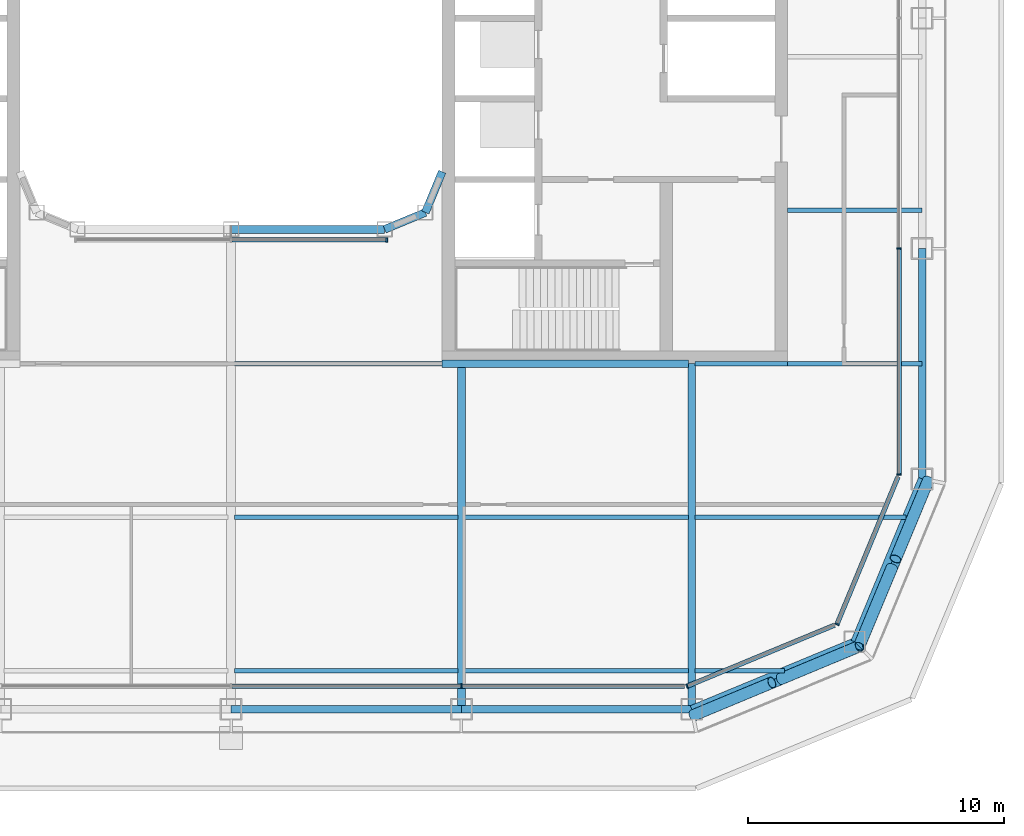
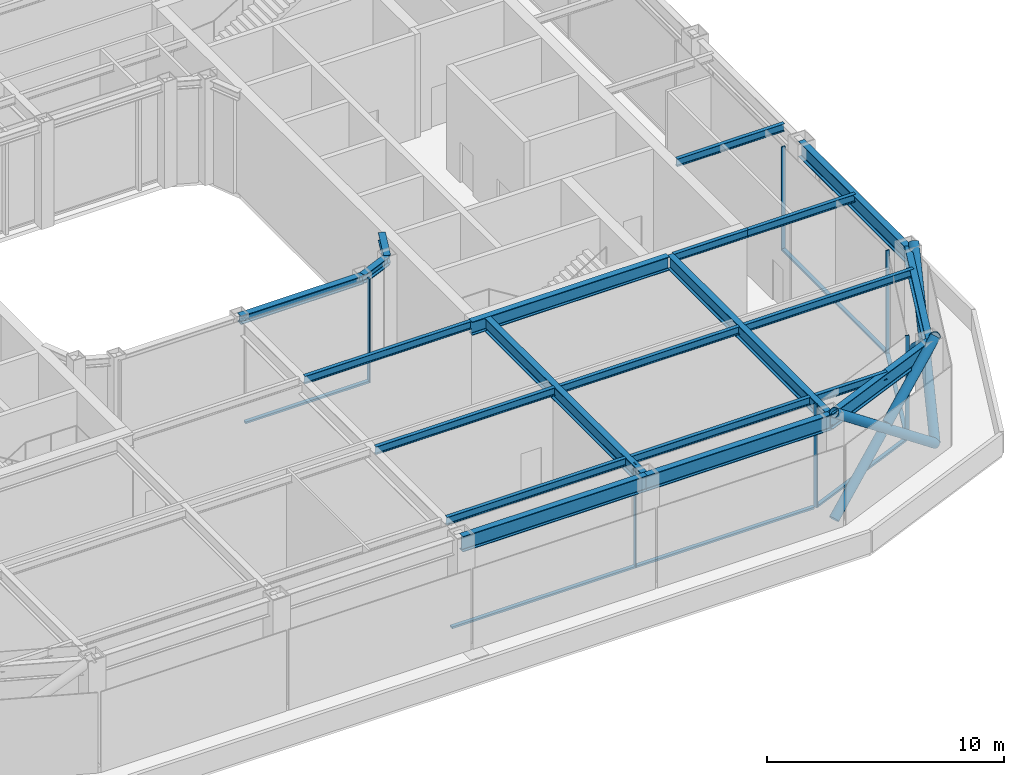
# One storey, part 4 of 19: 21 beams, 18 members, 5 elements without a shape of their own.
"""IFC4 building model written with IfcOpenShell, lengths in metres."""

from ifc_helpers import new_model, si_unit, direction, frame, origin, origin_2d, place, context, subcontext, project, spatial, rectangle, hollow_circle, i_section, extrude, material, layer, layer_set, material_profile, profile_set, type_object, element, aggregate, save


model = new_model("IFC4")

# Units and contexts
model_context = context("Model", 3, precision=1e-05, world=origin(), true_north=direction((0.0, 1.0)))
body_context = subcontext(model_context, "Body", "Model", "MODEL_VIEW")
ifc_project = project(units=[si_unit("LENGTHUNIT", "METRE"), si_unit("AREAUNIT", "SQUARE_METRE"), si_unit("VOLUMEUNIT", "CUBIC_METRE"), si_unit("PLANEANGLEUNIT", "RADIAN"), si_unit("MASSUNIT", "GRAM", prefix="KILO")], contexts=[model_context])

# Site, building, storey
site_placement = place(None, origin())
site = spatial("IfcSite", under=ifc_project, at=site_placement, CompositionType="ELEMENT")
building_placement = place(site_placement, origin())
building = spatial("IfcBuilding", under=site, at=building_placement, Name="Siwar Civic Tower", CompositionType="ELEMENT")
storey_placement = place(building_placement, frame((0.0, 0.0, 187.199951171875)))
storey = spatial("IfcBuildingStorey", under=building, at=storey_placement, Name="L40", CompositionType="ELEMENT", Elevation=187.199951171875)

# Curtain wall, member
ifc_material_1 = material(Name="Aluminium and glass", Category="aluminium")
ifc_layer_1 = layer(ifc_material_1, 0.179931640625)
ifc_layer_set_1 = layer_set([ifc_layer_1], Name="Aluminium and glass")
curtain_wall_type_1 = type_object("IfcCurtainWallType", Name="ENV-CW-C", PredefinedType="NOTDEFINED", material=ifc_layer_set_1)
curtain_wall_1_placement = place(storey_placement, origin())
curtain_wall_1 = element("IfcCurtainWall", 1, at=curtain_wall_1_placement, inside=storey, type_object=curtain_wall_type_1, Name="Curtain wall C S", PredefinedType="NOTDEFINED")
ifc_material_2 = material(Name="Aluminium 6063-T6", Category="aluminium")
ifc_material_profile_1 = material_profile(ifc_material_2, rectangle(XDim=0.179931640625, YDim=0.06005859375, at=origin_2d()), Name="AL 180x60")
ifc_profile_set_1 = profile_set([ifc_material_profile_1], Name="Aluminium 6063-T6")
member_type_1 = type_object("IfcMemberType", Name="ENV-MULLION-C", PredefinedType="MULLION", material=ifc_profile_set_1)
member_1_placement = place(storey_placement, frame((9.0, -26.10009765625, 0.0), z_axis=(0.0, 0.0, 1.0), x_axis=(0.0, 1.0, 0.0)))
member_1 = element("IfcMember", 2, at=member_1_placement, type_object=member_type_1, Name="Mullion C S 4", PredefinedType="MULLION", context=body_context, shape_type="SweptSolid", body=[
    extrude(rectangle(XDim=0.179931640625, YDim=0.06005859375, at=origin_2d()), origin(), (0.0, 0.0, 1.0), 5.35009765625),
])

ifc_material_3 = material(Name="Aluminium clad insulated panel", Category="aluminium")
ifc_layer_2 = layer(ifc_material_3, 0.179931640625)
ifc_layer_set_2 = layer_set([ifc_layer_2], Name="Aluminium clad insulated panel")
curtain_wall_type_2 = type_object("IfcCurtainWallType", Name="ENV-CW-CX", PredefinedType="NOTDEFINED", material=ifc_layer_set_2)
curtain_wall_2_placement = place(storey_placement, origin())
curtain_wall_2 = element("IfcCurtainWall", 3, at=curtain_wall_2_placement, inside=storey, type_object=curtain_wall_type_2, Name="Curtain wall C SE1", PredefinedType="NOTDEFINED")
member_2_placement = place(storey_placement, frame((17.821044921875, -26.10009765625, 0.0), z_axis=(0.0, 0.0, 1.0), x_axis=(-0.382683432365, 0.923879532511, 0.0)))
member_2 = element("IfcMember", 4, at=member_2_placement, type_object=member_type_1, Name="Mullion C SE1 1", PredefinedType="MULLION", context=body_context, shape_type="SweptSolid", body=[
    extrude(rectangle(XDim=0.179931640625, YDim=0.06005859375, at=origin_2d()), origin(), (0.0, 0.0, 1.0), 5.35009765625),
])

curtain_wall_3_placement = place(storey_placement, origin())
curtain_wall_3 = element("IfcCurtainWall", 5, at=curtain_wall_3_placement, inside=storey, type_object=curtain_wall_type_2, Name="Curtain wall C SE2", PredefinedType="NOTDEFINED")
member_3_placement = place(storey_placement, frame((23.675048828125, -23.675048828125, 0.0), z_axis=(0.0, 0.0, 1.0), x_axis=(-0.923879532511, 0.382683432365, 0.0)))
member_3 = element("IfcMember", 6, at=member_3_placement, type_object=member_type_1, Name="Mullion C SE2 1", PredefinedType="MULLION", context=body_context, shape_type="SweptSolid", body=[
    extrude(rectangle(XDim=0.179931640625, YDim=0.06005859375, at=origin_2d()), origin(), (0.0, 0.0, 1.0), 5.35009765625),
])

# Curtain wall, members
curtain_wall_4_placement = place(storey_placement, origin())
curtain_wall_4 = element("IfcCurtainWall", 7, at=curtain_wall_4_placement, inside=storey, type_object=curtain_wall_type_1, Name="Curtain wall C E", PredefinedType="NOTDEFINED")
member_4_placement = place(storey_placement, frame((26.10009765625, -17.821044921875, 0.0), z_axis=(0.0, 0.0, 1.0), x_axis=(-1.0, 0.0, 0.0)))
member_4 = element("IfcMember", 8, at=member_4_placement, type_object=member_type_1, Name="Mullion C E 1", PredefinedType="MULLION", context=body_context, shape_type="SweptSolid", body=[
    extrude(rectangle(XDim=0.179931640625, YDim=0.06005859375, at=origin_2d()), origin(), (0.0, 0.0, 1.0), 5.35009765625),
])
member_5_placement = place(storey_placement, frame((26.10009765625, -9.0, 0.0), z_axis=(0.0, 0.0, 1.0), x_axis=(-1.0, 0.0, 0.0)))
member_5 = element("IfcMember", 9, at=member_5_placement, type_object=member_type_1, Name="Mullion C E 2", PredefinedType="MULLION", context=body_context, shape_type="SweptSolid", body=[
    extrude(rectangle(XDim=0.179931640625, YDim=0.06005859375, at=origin_2d()), origin(), (0.0, 0.0, 1.0), 5.35009765625),
])

# Curtain wall, member
ifc_material_4 = material(Name="Aluminium and glass", Category="aluminium")
ifc_layer_3 = layer(ifc_material_4, 0.179931640625)
ifc_layer_set_3 = layer_set([ifc_layer_3], Name="Aluminium and glass")
curtain_wall_type_3 = type_object("IfcCurtainWallType", Name="ENV-CW-W", PredefinedType="NOTDEFINED", material=ifc_layer_set_3)
curtain_wall_5_placement = place(storey_placement, origin())
curtain_wall_5 = element("IfcCurtainWall", 10, at=curtain_wall_5_placement, inside=storey, type_object=curtain_wall_type_3, Name="Curtain wall W WS", PredefinedType="NOTDEFINED")
ifc_material_5 = material(Name="Aluminium 6063-T6", Category="aluminium")
ifc_material_profile_2 = material_profile(ifc_material_5, rectangle(XDim=0.179931640625, YDim=0.06005859375, at=origin_2d()), Name="AL 180x60")
ifc_profile_set_2 = profile_set([ifc_material_profile_2], Name="Aluminium 6063-T6")
member_type_2 = type_object("IfcMemberType", Name="ENV-MULLION-W", PredefinedType="MULLION", material=ifc_profile_set_2)
member_6_placement = place(storey_placement, frame((6.08154296875, -8.659912109375, 0.0), z_axis=(0.0, 0.0, 1.0), x_axis=(0.0, 1.0, 0.0)))
member_6 = element("IfcMember", 11, at=member_6_placement, type_object=member_type_2, Name="Mullion W WS 3", PredefinedType="MULLION", context=body_context, shape_type="SweptSolid", body=[
    extrude(rectangle(XDim=0.179931640625, YDim=0.06005859375, at=origin_2d()), origin(), (0.0, 0.0, 1.0), 5.35009765625),
])

# Member
ifc_material_6 = material(Name="Aluminium 6063-T6", Category="aluminium")
ifc_material_profile_3 = material_profile(ifc_material_6, rectangle(XDim=0.179931640625, YDim=0.10009765625, at=origin_2d()), Name="AL 180x100")
ifc_profile_set_3 = profile_set([ifc_material_profile_3], Name="Aluminium 6063-T6")
member_type_3 = type_object("IfcMemberType", Name="ENV-TRANSOM-C", PredefinedType="USERDEFINED", material=ifc_profile_set_3)
member_7_placement = place(storey_placement, frame((0.030029296875, -26.10009765625, 0.050048828125), z_axis=(1.0, 0.0, 0.0), x_axis=(0.0, 1.0, 0.0)))
member_7 = element("IfcMember", 12, at=member_7_placement, type_object=member_type_3, Name="Transom C S 3", ObjectType="TRANSOM", PredefinedType="USERDEFINED", context=body_context, shape_type="SweptSolid", body=[
    extrude(rectangle(XDim=0.179931640625, YDim=0.10009765625, at=origin_2d()), origin(), (0.0, 0.0, 1.0), 8.93994140625),
])

member_8_placement = place(storey_placement, frame((9.030029296875, -26.10009765625, 0.050048828125), z_axis=(1.0, 0.0, 0.0), x_axis=(0.0, 1.0, 0.0)))
member_8 = element("IfcMember", 13, at=member_8_placement, type_object=member_type_3, Name="Transom C S 4", ObjectType="TRANSOM", PredefinedType="USERDEFINED", context=body_context, shape_type="SweptSolid", body=[
    extrude(rectangle(XDim=0.179931640625, YDim=0.10009765625, at=origin_2d()), origin(), (0.0, 0.0, 1.0), 8.68603515625),
])

aggregate(curtain_wall_1, [member_1, member_7, member_8])

member_9_placement = place(storey_placement, frame((17.8486328125, -26.088623046875, 0.050048828125), z_axis=(0.923882011223, 0.38267744817, 0.0), x_axis=(-0.38267744817, 0.923882011223, 0.0)))
member_9 = element("IfcMember", 14, at=member_9_placement, type_object=member_type_3, Name="Transom C SE1 1", ObjectType="TRANSOM", PredefinedType="USERDEFINED", context=body_context, shape_type="SweptSolid", body=[
    extrude(rectangle(XDim=0.179931640625, YDim=0.10009765625, at=origin_2d()), origin(), (0.0, 0.0, 1.0), 6.201904296875),
])

aggregate(curtain_wall_2, [member_2, member_9])

member_10_placement = place(storey_placement, frame((23.6865234375, -23.6474609375, 0.050048828125), z_axis=(0.382691366456, 0.923876246063, 0.0), x_axis=(-0.923876246063, 0.382691366456, 0.0)))
member_10 = element("IfcMember", 15, at=member_10_placement, type_object=member_type_3, Name="Transom C SE2 1", ObjectType="TRANSOM", PredefinedType="USERDEFINED", context=body_context, shape_type="SweptSolid", body=[
    extrude(rectangle(XDim=0.179931640625, YDim=0.10009765625, at=origin_2d()), origin(), (0.0, 0.0, 1.0), 6.20166015625),
])

aggregate(curtain_wall_3, [member_3, member_10])

member_11_placement = place(storey_placement, frame((26.10009765625, -17.791015625, 0.050048828125), z_axis=(0.0, 1.0, 0.0), x_axis=(-1.0, 0.0, 0.0)))
member_11 = element("IfcMember", 16, at=member_11_placement, type_object=member_type_3, Name="Transom C E 1", ObjectType="TRANSOM", PredefinedType="USERDEFINED", context=body_context, shape_type="SweptSolid", body=[
    extrude(rectangle(XDim=0.179931640625, YDim=0.10009765625, at=origin_2d()), origin(), (0.0, 0.0, 1.0), 8.760986328125),
])

aggregate(curtain_wall_4, [member_4, member_5, member_11])

ifc_material_7 = material(Name="Aluminium 6063-T6", Category="aluminium")
ifc_material_profile_4 = material_profile(ifc_material_7, rectangle(XDim=0.179931640625, YDim=0.10009765625, at=origin_2d()), Name="AL 180x100")
ifc_profile_set_4 = profile_set([ifc_material_profile_4], Name="Aluminium 6063-T6")
member_type_4 = type_object("IfcMemberType", Name="ENV-TRANSOM-W", PredefinedType="USERDEFINED", material=ifc_profile_set_4)
member_12_placement = place(storey_placement, frame((0.030029296875, -8.659912109375, 0.050048828125), z_axis=(1.0, 0.0, 0.0), x_axis=(0.0, 1.0, 0.0)))
member_12 = element("IfcMember", 17, at=member_12_placement, type_object=member_type_4, Name="Transom W WS 2", ObjectType="TRANSOM", PredefinedType="USERDEFINED", context=body_context, shape_type="SweptSolid", body=[
    extrude(rectangle(XDim=0.179931640625, YDim=0.10009765625, at=origin_2d()), origin(), (0.0, 0.0, 1.0), 6.021484375),
])

aggregate(curtain_wall_5, [member_6, member_12])

# Members
ifc_material_8 = material(Name="Steel S355", Category="steel")
ifc_material_profile_5 = material_profile(ifc_material_8, hollow_circle(Radius=0.228515625, WallThickness=0.02001953125, at=origin_2d()), Name="CHS457x20")
ifc_profile_set_5 = profile_set([ifc_material_profile_5], Name="Steel S355")
member_type_5 = type_object("IfcMemberType", Name="STR-BR-CHS457x20", PredefinedType="BRACE", material=ifc_profile_set_5)
member_13_placement = place(storey_placement, frame((24.540771484375, -24.540771484375, 0.0), z_axis=(0.302906807269, 0.727145879939, 0.616040855299), x_axis=(-0.923108759191, 0.384538969033, 0.0)))
element("IfcMember", 18, at=member_13_placement, inside=storey, type_object=member_type_5, Name="L40/brc/CSE1-0-0-1", PredefinedType="BRACE", context=body_context, shape_type="SweptSolid", body=[
    extrude(hollow_circle(Radius=0.228515625, WallThickness=0.02001953125, at=origin_2d()), origin(), (0.0, 0.0, 1.0), 8.927978515625),
])
member_14_placement = place(storey_placement, frame((27.2451171875, -18.048828125, 0.0), z_axis=(-0.302872791803, -0.727136906292, 0.616068171141), x_axis=(0.923122402988, -0.384506214648, 0.0)))
element("IfcMember", 19, at=member_14_placement, inside=storey, type_object=member_type_5, Name="L40/brc/CSE1-0-0-2", PredefinedType="BRACE", context=body_context, shape_type="SweptSolid", body=[
    extrude(hollow_circle(Radius=0.228515625, WallThickness=0.02001953125, at=origin_2d()), origin(), (0.0, 0.0, 1.0), 4.233642578125),
])
member_15_placement = place(storey_placement, frame((25.8232421875, -21.46240234375, 2.89208984375), z_axis=(-0.302935930372, -0.727150037324, 0.616021627306), x_axis=(0.923096415499, -0.384568599462, 0.0)))
element("IfcMember", 20, at=member_15_placement, inside=storey, type_object=member_type_5, Name="L40/brc/CSE1-0-0-3", PredefinedType="BRACE", context=body_context, shape_type="SweptSolid", body=[
    extrude(hollow_circle(Radius=0.228515625, WallThickness=0.02001953125, at=origin_2d()), origin(), (0.0, 0.0, 1.0), 4.2333984375),
])
member_16_placement = place(storey_placement, frame((24.540771484375, -24.540771484375, 0.0), z_axis=(-0.727145879939, -0.302906807269, 0.616040855299), x_axis=(0.384538969033, -0.923108759191, 0.0)))
element("IfcMember", 21, at=member_16_placement, inside=storey, type_object=member_type_5, Name="L40/brc/CSE1-0-0-0", PredefinedType="BRACE", context=body_context, shape_type="SweptSolid", body=[
    extrude(hollow_circle(Radius=0.228515625, WallThickness=0.02001953125, at=origin_2d()), origin(), (0.0, 0.0, 1.0), 8.927978515625),
])
member_17_placement = place(storey_placement, frame((18.048828125, -27.2451171875, 0.0), z_axis=(0.727136906292, 0.302872791803, 0.616068171141), x_axis=(-0.384506214648, 0.923122402988, 0.0)))
element("IfcMember", 22, at=member_17_placement, inside=storey, type_object=member_type_5, Name="L40/brc/CSE1-0-0-4", PredefinedType="BRACE", context=body_context, shape_type="SweptSolid", body=[
    extrude(hollow_circle(Radius=0.228515625, WallThickness=0.02001953125, at=origin_2d()), origin(), (0.0, 0.0, 1.0), 4.233642578125),
])
member_18_placement = place(storey_placement, frame((21.46240234375, -25.8232421875, 2.89208984375), z_axis=(0.727150037324, 0.302935930372, 0.616021627306), x_axis=(-0.384568599462, 0.923096415499, 0.0)))
element("IfcMember", 23, at=member_18_placement, inside=storey, type_object=member_type_5, Name="L40/brc/CSE1-0-0-5", PredefinedType="BRACE", context=body_context, shape_type="SweptSolid", body=[
    extrude(hollow_circle(Radius=0.228515625, WallThickness=0.02001953125, at=origin_2d()), origin(), (0.0, 0.0, 1.0), 4.2333984375),
])

# Beams
ifc_material_9 = material(Name="Steel S355", Category="steel")
ifc_material_profile_6 = material_profile(ifc_material_9, i_section(OverallWidth=0.179931640625, OverallDepth=0.39990234375, WebThickness=0.008544921875, FlangeThickness=0.013427734375, FilletRadius=0.02099609375, at=origin_2d()), Name="IPE400")
ifc_profile_set_6 = profile_set([ifc_material_profile_6], Name="Steel S355")
beam_type_1 = type_object("IfcBeamType", Name="STR-FB-IPE400", PredefinedType="JOIST", material=ifc_profile_set_6)
for number, where, z_axis, x_axis, name in (
    (24, (0.1298828125, -25.5, 5.150146484375), (1.0, 0.0, 0.0), (0.0, 1.0, 0.0), "L40/bm/F004"),
    (25, (9.1298828125, -25.5, 5.150146484375), (1.0, 0.0, 0.0), (0.0, 1.0, 0.0), "L40/bm/F005"),
):
    element("IfcBeam", number, at=place(storey_placement, frame(where, z_axis=z_axis, x_axis=x_axis)), inside=storey, type_object=beam_type_1, Name=name, PredefinedType="JOIST", context=body_context, shape_type="SweptSolid", body=[
        extrude(i_section(OverallWidth=0.179931640625, OverallDepth=0.39990234375, WebThickness=0.008544921875, FlangeThickness=0.013427734375, FilletRadius=0.02099609375, at=origin_2d()), origin(), (0.0, 0.0, 1.0), 8.740234375),
    ])
beam_1_placement = place(storey_placement, frame((18.1298828125, -25.5, 5.150146484375), z_axis=(1.0, 0.0, 0.0), x_axis=(0.0, 1.0, 0.0)))
element("IfcBeam", 26, at=beam_1_placement, inside=storey, type_object=beam_type_1, Name="L40/bm/F006", PredefinedType="JOIST", context=body_context, shape_type="SweptSolid", body=[
    extrude(i_section(OverallWidth=0.179931640625, OverallDepth=0.39990234375, WebThickness=0.008544921875, FlangeThickness=0.013427734375, FilletRadius=0.02099609375, at=origin_2d()), origin(), (0.0, 0.0, 1.0), 3.491455078125),
])
for number, where, z_axis, x_axis, name in (
    (27, (0.1298828125, -19.5, 5.150146484375), (1.0, 0.0, 0.0), (0.0, 1.0, 0.0), "L40/bm/F010"),
    (28, (9.1298828125, -19.5, 5.150146484375), (1.0, 0.0, 0.0), (0.0, 1.0, 0.0), "L40/bm/F011"),
):
    element("IfcBeam", number, at=place(storey_placement, frame(where, z_axis=z_axis, x_axis=x_axis)), inside=storey, type_object=beam_type_1, Name=name, PredefinedType="JOIST", context=body_context, shape_type="SweptSolid", body=[
        extrude(i_section(OverallWidth=0.179931640625, OverallDepth=0.39990234375, WebThickness=0.008544921875, FlangeThickness=0.013427734375, FilletRadius=0.02099609375, at=origin_2d()), origin(), (0.0, 0.0, 1.0), 8.740234375),
    ])
beam_2_placement = place(storey_placement, frame((18.1298828125, -19.5, 5.150146484375), z_axis=(1.0, 0.0, 0.0), x_axis=(0.0, 1.0, 0.0)))
element("IfcBeam", 29, at=beam_2_placement, inside=storey, type_object=beam_type_1, Name="L40/bm/F012", PredefinedType="JOIST", context=body_context, shape_type="SweptSolid", body=[
    extrude(i_section(OverallWidth=0.179931640625, OverallDepth=0.39990234375, WebThickness=0.008544921875, FlangeThickness=0.013427734375, FilletRadius=0.02099609375, at=origin_2d()), origin(), (0.0, 0.0, 1.0), 8.248779296875),
])
beam_3_placement = place(storey_placement, frame((0.1298828125, -13.5, 5.150146484375), z_axis=(1.0, 0.0, 0.0), x_axis=(0.0, 1.0, 0.0)))
element("IfcBeam", 30, at=beam_3_placement, inside=storey, type_object=beam_type_1, Name="L40/bm/F017", PredefinedType="JOIST", context=body_context, shape_type="SweptSolid", body=[
    extrude(i_section(OverallWidth=0.179931640625, OverallDepth=0.39990234375, WebThickness=0.008544921875, FlangeThickness=0.013427734375, FilletRadius=0.02099609375, at=origin_2d()), origin(), (0.0, 0.0, 1.0), 8.1201171875),
])
beam_4_placement = place(storey_placement, frame((18.1298828125, -13.5, 5.150146484375), z_axis=(1.0, 0.0, 0.0), x_axis=(0.0, 1.0, 0.0)))
element("IfcBeam", 31, at=beam_4_placement, inside=storey, type_object=beam_type_1, Name="L40/bm/F019", PredefinedType="JOIST", context=body_context, shape_type="SweptSolid", body=[
    extrude(i_section(OverallWidth=0.179931640625, OverallDepth=0.39990234375, WebThickness=0.008544921875, FlangeThickness=0.013427734375, FilletRadius=0.02099609375, at=origin_2d()), origin(), (0.0, 0.0, 1.0), 3.6201171875),
])
for number, where, z_axis, x_axis, name in (
    (32, (21.75, -13.5, 5.150146484375), (1.0, 0.0, 0.0), (0.0, 1.0, 0.0), "L40/bm/F020"),
    (33, (21.75, -7.5, 5.150146484375), (1.0, 0.0, 0.0), (0.0, 1.0, 0.0), "L40/bm/F022"),
):
    element("IfcBeam", number, at=place(storey_placement, frame(where, z_axis=z_axis, x_axis=x_axis)), inside=storey, type_object=beam_type_1, Name=name, PredefinedType="JOIST", context=body_context, shape_type="SweptSolid", body=[
        extrude(i_section(OverallWidth=0.179931640625, OverallDepth=0.39990234375, WebThickness=0.008544921875, FlangeThickness=0.013427734375, FilletRadius=0.02099609375, at=origin_2d()), origin(), (0.0, 0.0, 1.0), 5.25),
    ])
ifc_material_10 = material(Name="Steel S355", Category="steel")
ifc_material_profile_7 = material_profile(ifc_material_10, i_section(OverallWidth=0.300048828125, OverallDepth=0.699951171875, WebThickness=0.01708984375, FlangeThickness=0.031982421875, FilletRadius=0.027099609375, at=origin_2d()), Name="HEB700")
ifc_profile_set_7 = profile_set([ifc_material_profile_7], Name="Steel S355")
beam_type_2 = type_object("IfcBeamType", Name="STR-PG-HEB700", PredefinedType="BEAM", material=ifc_profile_set_7)
for number, where, z_axis, x_axis, name in (
    (34, (9.0, -27.0, 5.0), (0.0, 1.0, 0.0), (-1.0, 0.0, 0.0), "L40/bm/G07"),
    (35, (18.0, -27.0, 5.0), (0.0, 1.0, 0.0), (-1.0, 0.0, 0.0), "L40/bm/G09"),
):
    element("IfcBeam", number, at=place(storey_placement, frame(where, z_axis=z_axis, x_axis=x_axis)), inside=storey, type_object=beam_type_2, Name=name, PredefinedType="BEAM", context=body_context, shape_type="SweptSolid", body=[
        extrude(i_section(OverallWidth=0.300048828125, OverallDepth=0.699951171875, WebThickness=0.01708984375, FlangeThickness=0.031982421875, FilletRadius=0.027099609375, at=origin_2d()), origin(), (0.0, 0.0, 1.0), 13.5),
    ])
beam_5_placement = place(storey_placement, frame((8.25, -13.5, 5.0), z_axis=(1.0, 0.0, 0.0), x_axis=(0.0, 1.0, 0.0)))
element("IfcBeam", 36, at=beam_5_placement, inside=storey, type_object=beam_type_2, Name="L40/bm/F018", PredefinedType="BEAM", context=body_context, shape_type="SweptSolid", body=[
    extrude(i_section(OverallWidth=0.300048828125, OverallDepth=0.699951171875, WebThickness=0.01708984375, FlangeThickness=0.031982421875, FilletRadius=0.027099609375, at=origin_2d()), origin(), (0.0, 0.0, 1.0), 9.6201171875),
])
ifc_material_11 = material(Name="Steel S355", Category="steel")
ifc_material_profile_8 = material_profile(ifc_material_11, i_section(OverallWidth=0.306884765625, OverallDepth=0.431884765625, WebThickness=0.02099609375, FlangeThickness=0.0400390625, FilletRadius=0.027099609375, at=origin_2d()), Name="HEM400")
ifc_profile_set_8 = profile_set([ifc_material_profile_8], Name="Steel S355")
beam_type_3 = type_object("IfcBeamType", Name="STR-RB-HEM400", PredefinedType="BEAM", material=ifc_profile_set_8)
beam_6_placement = place(storey_placement, frame((0.0, -8.25, 5.134033203125), z_axis=(1.0, 0.0, 0.0), x_axis=(0.0, 1.0, 0.0)))
element("IfcBeam", 37, at=beam_6_placement, inside=storey, type_object=beam_type_3, Name="L40/bm/RS2", PredefinedType="BEAM", context=body_context, shape_type="SweptSolid", body=[
    extrude(i_section(OverallWidth=0.306884765625, OverallDepth=0.431884765625, WebThickness=0.02099609375, FlangeThickness=0.0400390625, FilletRadius=0.027099609375, at=origin_2d()), origin(), (0.0, 0.0, 1.0), 6.0),
])
for number, where, z_axis, x_axis, name in (
    (38, (6.0, -8.25, 5.134033203125), (0.923901072997, 0.382631424892, 0.0), (-0.382631424892, 0.923901072997, 0.0), "L40/bm/RS3"),
    (39, (7.591064453125, -7.591064453125, 5.134033203125), (0.382631424892, 0.923901072997, 0.0), (-0.923901072997, 0.382631424892, 0.0), "L40/bm/RSEE"),
):
    element("IfcBeam", number, at=place(storey_placement, frame(where, z_axis=z_axis, x_axis=x_axis)), inside=storey, type_object=beam_type_3, Name=name, PredefinedType="BEAM", context=body_context, shape_type="SweptSolid", body=[
        extrude(i_section(OverallWidth=0.306884765625, OverallDepth=0.431884765625, WebThickness=0.02099609375, FlangeThickness=0.0400390625, FilletRadius=0.027099609375, at=origin_2d()), origin(), (0.0, 0.0, 1.0), 1.72216796875),
    ])
ifc_material_12 = material(Name="Steel S355", Category="steel")
ifc_material_profile_9 = material_profile(ifc_material_12, i_section(OverallWidth=0.300048828125, OverallDepth=0.800048828125, WebThickness=0.017578125, FlangeThickness=0.032958984375, FilletRadius=0.030029296875, at=origin_2d()), Name="HEB800")
ifc_profile_set_9 = profile_set([ifc_material_profile_9], Name="Steel S355")
beam_type_4 = type_object("IfcBeamType", Name="STR-SB-HEB800", PredefinedType="BEAM", material=ifc_profile_set_9)
for number, where, z_axis, x_axis, name in (
    (40, (0.0, -27.0, 4.949951171875), (1.0, 0.0, 0.0), (0.0, 1.0, 0.0), "L40/bm/SS-2"),
    (41, (9.0, -27.0, 4.949951171875), (1.0, 0.0, 0.0), (0.0, 1.0, 0.0), "L40/bm/SS-3"),
):
    element("IfcBeam", number, at=place(storey_placement, frame(where, z_axis=z_axis, x_axis=x_axis)), inside=storey, type_object=beam_type_4, Name=name, PredefinedType="BEAM", context=body_context, shape_type="SweptSolid", body=[
        extrude(i_section(OverallWidth=0.300048828125, OverallDepth=0.800048828125, WebThickness=0.017578125, FlangeThickness=0.032958984375, FilletRadius=0.030029296875, at=origin_2d()), origin(), (0.0, 0.0, 1.0), 9.0),
    ])
for number, where, z_axis, x_axis, name in (
    (42, (18.0, -27.0, 4.949951171875), (0.923883353507, 0.382674207535, 0.0), (-0.382674207535, 0.923883353507, 0.0), "L40/bm/SSE1-0"),
    (43, (24.364013671875, -24.364013671875, 4.949951171875), (0.382674207535, 0.923883353507, 0.0), (-0.923883353507, 0.382674207535, 0.0), "L40/bm/SSE2-0"),
):
    element("IfcBeam", number, at=place(storey_placement, frame(where, z_axis=z_axis, x_axis=x_axis)), inside=storey, type_object=beam_type_4, Name=name, PredefinedType="BEAM", context=body_context, shape_type="SweptSolid", body=[
        extrude(i_section(OverallWidth=0.300048828125, OverallDepth=0.800048828125, WebThickness=0.017578125, FlangeThickness=0.032958984375, FilletRadius=0.030029296875, at=origin_2d()), origin(), (0.0, 0.0, 1.0), 6.888427734375),
    ])
beam_7_placement = place(storey_placement, frame((27.0, -18.0, 4.949951171875), z_axis=(0.0, 1.0, 0.0), x_axis=(-1.0, 0.0, 0.0)))
element("IfcBeam", 44, at=beam_7_placement, inside=storey, type_object=beam_type_4, Name="L40/bm/SE-0", PredefinedType="BEAM", context=body_context, shape_type="SweptSolid", body=[
    extrude(i_section(OverallWidth=0.300048828125, OverallDepth=0.800048828125, WebThickness=0.017578125, FlangeThickness=0.032958984375, FilletRadius=0.030029296875, at=origin_2d()), origin(), (0.0, 0.0, 1.0), 9.0),
])

save(model, "model.ifc")
